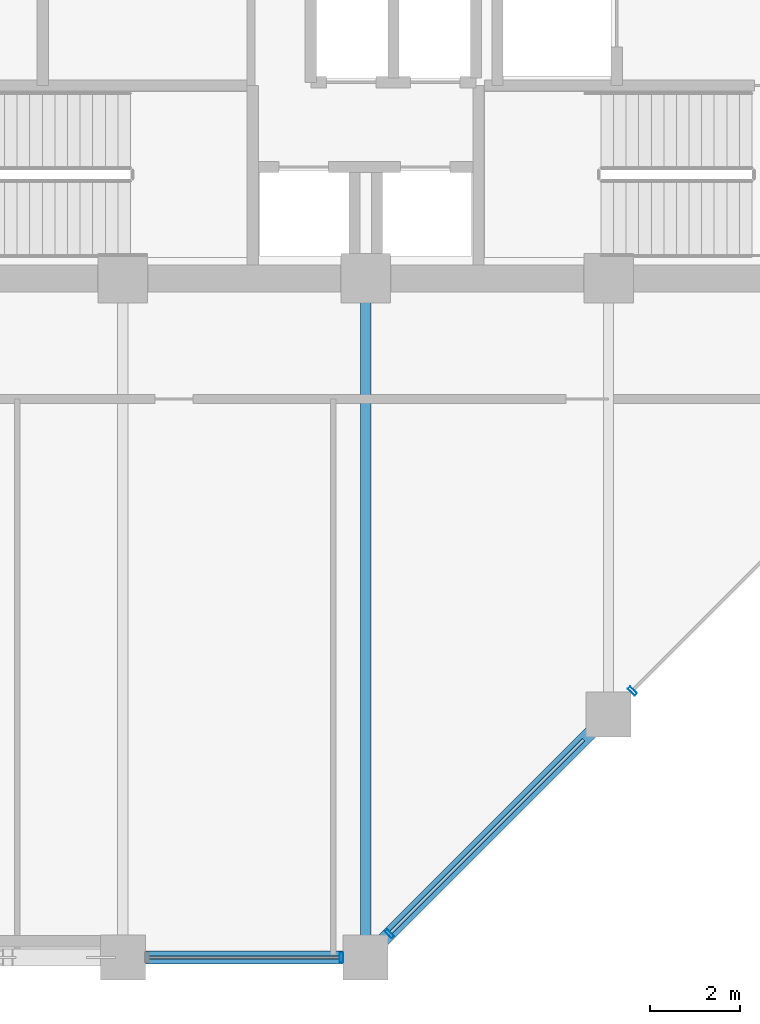
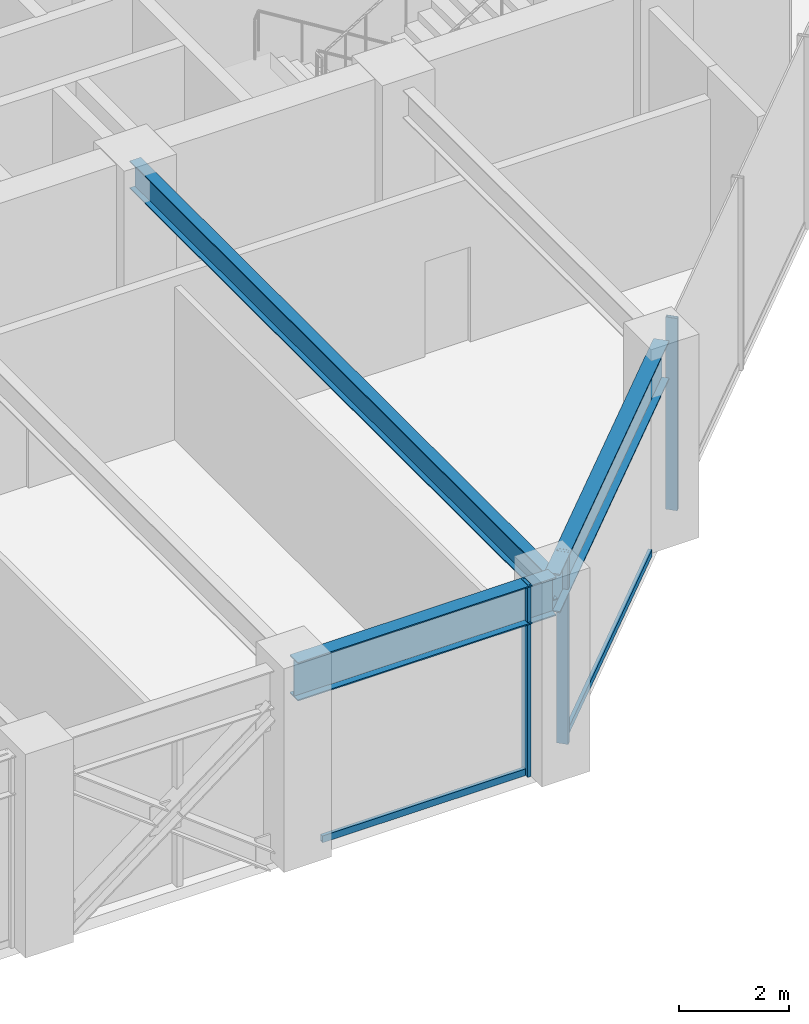
# One storey, part 6 of 25: 5 members, 3 beams, 2 elements without a shape of their own.
"""IFC4 building model written with IfcOpenShell, lengths in metres."""

from ifc_helpers import new_model, si_unit, direction, frame, origin, origin_2d, place, context, subcontext, project, spatial, hollow_rectangle, i_section, extrude, material, layer, layer_set, material_profile, profile_set, type_object, element, aggregate, save


model = new_model("IFC4")

# Units and contexts
model_context = context("Model", 3, precision=1e-05, world=origin(), true_north=direction((0.0, 1.0)))
body_context = subcontext(model_context, "Body", "Model", "MODEL_VIEW")
ifc_project = project(units=[si_unit("LENGTHUNIT", "METRE"), si_unit("AREAUNIT", "SQUARE_METRE"), si_unit("VOLUMEUNIT", "CUBIC_METRE"), si_unit("PLANEANGLEUNIT", "RADIAN"), si_unit("MASSUNIT", "GRAM", prefix="KILO")], contexts=[model_context])

# Site, building, storey
site_placement = place(None, origin())
site = spatial("IfcSite", under=ifc_project, at=site_placement, CompositionType="ELEMENT")
building_placement = place(site_placement, origin())
building = spatial("IfcBuilding", under=site, at=building_placement, Name="Surkhivell Harbour Commons", CompositionType="ELEMENT")
storey_placement = place(building_placement, frame((0.0, 0.0, 162.0)))
storey = spatial("IfcBuildingStorey", under=building, at=storey_placement, Name="L42", CompositionType="ELEMENT", Elevation=162.0)

# Beams
ifc_material_1 = material(Name="Steel S355", Category="steel")
ifc_material_profile_1 = material_profile(ifc_material_1, i_section(OverallWidth=0.22998046875, OverallDepth=0.616943359375, WebThickness=0.01318359375, FlangeThickness=0.022216796875, at=origin_2d()), Name="UB610x229x140")
ifc_profile_set_1 = profile_set([ifc_material_profile_1], Name="Steel S355")
beam_type_1 = type_object("IfcBeamType", Name="BM-GRD-610B", PredefinedType="BEAM", material=ifc_profile_set_1)
beam_1_placement = place(storey_placement, frame((0.0, -25.89990234375, 3.94140625), z_axis=(0.0, 1.0, 0.0), x_axis=(-1.0, 0.0, 0.0)))
element("IfcBeam", 1, at=beam_1_placement, inside=storey, type_object=beam_type_1, Name="L42 Floor Girder (0.0,-25.9)", PredefinedType="BEAM", context=body_context, shape_type="SweptSolid", body=[
    extrude(i_section(OverallWidth=0.22998046875, OverallDepth=0.616943359375, WebThickness=0.01318359375, FlangeThickness=0.022216796875, at=origin_2d()), origin(), (0.0, 0.0, 1.0), 15.099853515625),
])
ifc_material_2 = material(Name="Steel S460", Category="steel")
ifc_material_profile_2 = material_profile(ifc_material_2, i_section(OverallWidth=0.2939453125, OverallDepth=0.85107421875, WebThickness=0.01611328125, FlangeThickness=0.02685546875, at=origin_2d()), Name="UB838x292x226")
ifc_profile_set_2 = profile_set([ifc_material_profile_2], Name="Steel S460")
beam_type_2 = type_object("IfcBeamType", Name="BM-SPN-838", PredefinedType="SPANDREL", material=ifc_profile_set_2)
beam_2_placement = place(storey_placement, frame((-5.39990234375, -25.89990234375, 3.824462890625), z_axis=(1.0, 0.0, 0.0), x_axis=(0.0, 1.0, 0.0)))
element("IfcBeam", 2, at=beam_2_placement, inside=storey, type_object=beam_type_2, Name="L42 Tube Spandrel (-5.4,-25.9)", PredefinedType="SPANDREL", context=body_context, shape_type="SweptSolid", body=[
    extrude(i_section(OverallWidth=0.2939453125, OverallDepth=0.85107421875, WebThickness=0.01611328125, FlangeThickness=0.02685546875, at=origin_2d()), origin(), (0.0, 0.0, 1.0), 5.39990234375),
])
beam_3_placement = place(storey_placement, frame((0.0, -25.89990234375, 3.824462890625), z_axis=(0.707106781187, 0.707106781187, 0.0), x_axis=(-0.707106781187, 0.707106781187, 0.0)))
element("IfcBeam", 3, at=beam_3_placement, inside=storey, type_object=beam_type_2, Name="L42 Tube Spandrel (-0.0,-25.9)", PredefinedType="SPANDREL", context=body_context, shape_type="SweptSolid", body=[
    extrude(i_section(OverallWidth=0.2939453125, OverallDepth=0.85107421875, WebThickness=0.01611328125, FlangeThickness=0.02685546875, at=origin_2d()), origin(), (0.0, 0.0, 1.0), 7.63671875),
])

# Curtain wall, member
ifc_material_3 = material(Name="Anodised pale-metal aluminium and insulated glazing", Category="aluminium")
ifc_layer = layer(ifc_material_3, 0.205078125)
ifc_layer_set = layer_set([ifc_layer], Name="Anodised pale-metal aluminium and insulated glazing")
curtain_wall_type = type_object("IfcCurtainWallType", Name="CW-SYS-Z2", PredefinedType="NOTDEFINED", material=ifc_layer_set)
curtain_wall_1_placement = place(storey_placement, origin())
curtain_wall_1 = element("IfcCurtainWall", 4, at=curtain_wall_1_placement, inside=storey, type_object=curtain_wall_type, Name="L42 Curtain Wall CW-L42-E00S2", PredefinedType="NOTDEFINED")
ifc_material_4 = material(Name="Anodised pale-metal aluminium alloy 6063-T6", Category="aluminium")
ifc_material_profile_3 = material_profile(ifc_material_4, hollow_rectangle(XDim=0.074951171875, YDim=0.219970703125, WallThickness=0.00390625, at=origin_2d()), Name="ALU-MULL-75x220")
ifc_profile_set_3 = profile_set([ifc_material_profile_3], Name="Anodised pale-metal aluminium alloy 6063-T6")
member_type_1 = type_object("IfcMemberType", Name="CWM-220", PredefinedType="MULLION", material=ifc_profile_set_3)
member_1_placement = place(storey_placement, frame((-0.53955078125, -25.89990234375, 0.0), z_axis=(0.0, 0.0, 1.0), x_axis=(1.0, 0.0, 0.0)))
member_1 = element("IfcMember", 5, at=member_1_placement, type_object=member_type_1, Name="CW-Z2 mullion 2", PredefinedType="MULLION", context=body_context, shape_type="SweptSolid", body=[
    extrude(hollow_rectangle(XDim=0.074951171875, YDim=0.219970703125, WallThickness=0.00390625, at=origin_2d()), origin(), (0.0, 0.0, 1.0), 4.25),
])

# Curtain wall, members
curtain_wall_2_placement = place(storey_placement, origin())
curtain_wall_2 = element("IfcCurtainWall", 6, at=curtain_wall_2_placement, inside=storey, type_object=curtain_wall_type, Name="L42 Curtain Wall CW-L42-E01", PredefinedType="NOTDEFINED")
member_2_placement = place(storey_placement, frame((0.5283203125, -25.371826171875, 0.0), z_axis=(0.0, 0.0, 1.0), x_axis=(0.707106781187, 0.707106781187, 0.0)))
member_2 = element("IfcMember", 7, at=member_2_placement, type_object=member_type_1, Name="CW-Z2 mullion 1", PredefinedType="MULLION", context=body_context, shape_type="SweptSolid", body=[
    extrude(hollow_rectangle(XDim=0.074951171875, YDim=0.219970703125, WallThickness=0.00390625, at=origin_2d()), origin(), (0.0, 0.0, 1.0), 4.25),
])
member_3_placement = place(storey_placement, frame((5.92822265625, -19.9716796875, 0.0), z_axis=(0.0, 0.0, 1.0), x_axis=(0.707106781187, 0.707106781187, 0.0)))
member_3 = element("IfcMember", 8, at=member_3_placement, type_object=member_type_1, Name="CW-Z2 mullion 2", PredefinedType="MULLION", context=body_context, shape_type="SweptSolid", body=[
    extrude(hollow_rectangle(XDim=0.074951171875, YDim=0.219970703125, WallThickness=0.00390625, at=origin_2d()), origin(), (0.0, 0.0, 1.0), 4.25),
])

# Member
ifc_material_profile_4 = material_profile(ifc_material_4, hollow_rectangle(XDim=0.074951171875, YDim=0.14990234375, WallThickness=0.00341796875, at=origin_2d()), Name="ALU-TRAN-75x150")
ifc_profile_set_4 = profile_set([ifc_material_profile_4], Name="Anodised pale-metal aluminium alloy 6063-T6")
member_type_2 = type_object("IfcMemberType", Name="CWT-150", PredefinedType="USERDEFINED", material=ifc_profile_set_4)
member_4_placement = place(storey_placement, frame((-4.822998046875, -25.89990234375, 0.074951171875), z_axis=(1.0, 0.0, 0.0), x_axis=(0.0, 1.0, 0.0)))
member_4 = element("IfcMember", 9, at=member_4_placement, type_object=member_type_2, Name="CW-Z2 transom 1.1", ObjectType="TRANSOM", PredefinedType="USERDEFINED", context=body_context, shape_type="SweptSolid", body=[
    extrude(hollow_rectangle(XDim=0.074951171875, YDim=0.14990234375, WallThickness=0.00341796875, at=origin_2d()), origin(), (0.0, 0.0, 1.0), 4.24609375),
])

aggregate(curtain_wall_1, [member_1, member_4])

member_5_placement = place(storey_placement, frame((0.5546875, -25.34521484375, 0.074951171875), z_axis=(0.707106781187, 0.707106781187, 0.0), x_axis=(-0.707106781187, 0.707106781187, 0.0)))
member_5 = element("IfcMember", 10, at=member_5_placement, type_object=member_type_2, Name="CW-Z2 transom 1.1", ObjectType="TRANSOM", PredefinedType="USERDEFINED", context=body_context, shape_type="SweptSolid", body=[
    extrude(hollow_rectangle(XDim=0.074951171875, YDim=0.14990234375, WallThickness=0.00341796875, at=origin_2d()), origin(), (0.0, 0.0, 1.0), 6.067626953125),
])

aggregate(curtain_wall_2, [member_2, member_5, member_3])

save(model, "model.ifc")
